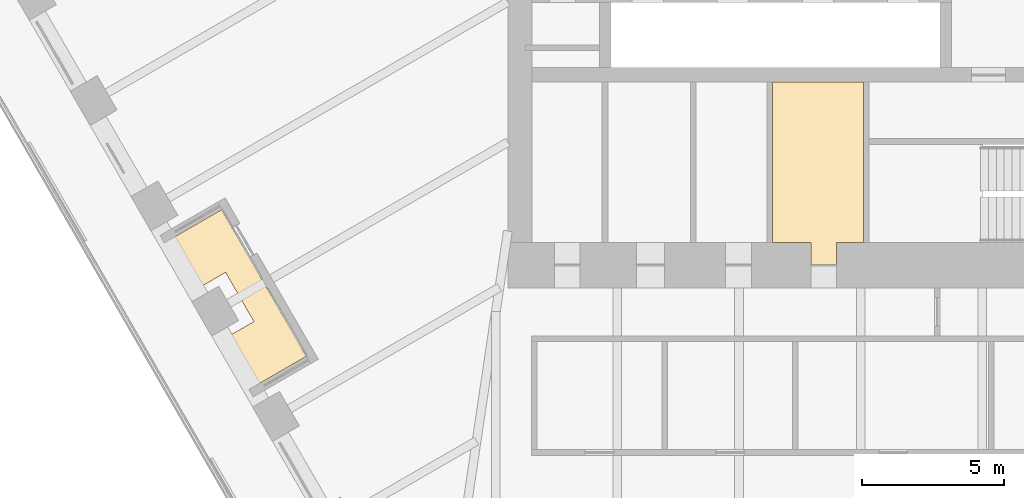
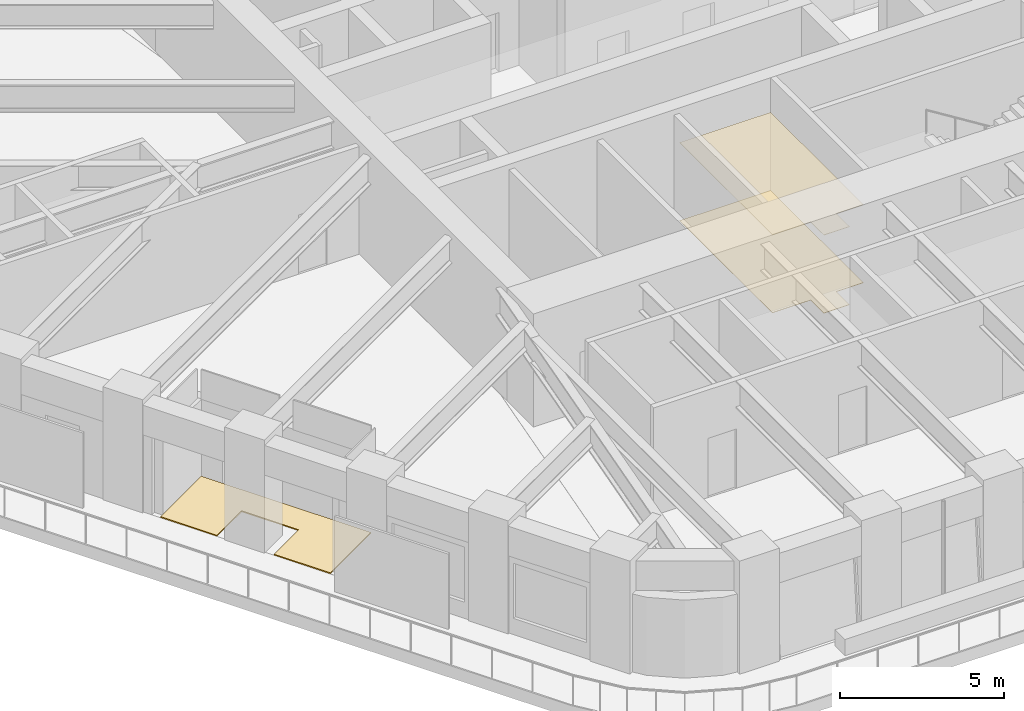
# One storey, part 17 of 19: 3 coverings.
"""IFC4 building model written with IfcOpenShell, lengths in metres."""

from ifc_helpers import new_model, si_unit, direction, frame, origin, place, context, subcontext, project, spatial, polyline, outline, extrude, material, layer, layer_set, type_object, element, save


model = new_model("IFC4")

# Units and contexts
model_context = context("Model", 3, precision=1e-05, world=origin(), true_north=direction((0.0, 1.0)))
body_context = subcontext(model_context, "Body", "Model", "MODEL_VIEW")
ifc_project = project(units=[si_unit("LENGTHUNIT", "METRE"), si_unit("AREAUNIT", "SQUARE_METRE"), si_unit("VOLUMEUNIT", "CUBIC_METRE"), si_unit("PLANEANGLEUNIT", "RADIAN"), si_unit("MASSUNIT", "GRAM", prefix="KILO")], contexts=[model_context])

# Site, building, storey
site_placement = place(None, origin())
site = spatial("IfcSite", under=ifc_project, at=site_placement, CompositionType="ELEMENT")
building_placement = place(site_placement, origin())
building = spatial("IfcBuilding", under=site, at=building_placement, Name="Tarfa Lantern Tower", CompositionType="ELEMENT")
storey_placement = place(building_placement, frame((0.0, 0.0, 328.300048828125)))
storey = spatial("IfcBuildingStorey", under=building, at=storey_placement, Name="L74", CompositionType="ELEMENT", Elevation=328.300048828125)

# Coverings
ifc_material_1 = material(Name="Moisture-resistant plasterboard", Category="finish")
ifc_layer_1 = layer(ifc_material_1, 0.014892578125)
ifc_layer_set_1 = layer_set([ifc_layer_1], Name="CL2 MOISTURE-RESISTANT PLASTERBOARD CEILING 15")
covering_type_1 = type_object("IfcCoveringType", Name="CL2 MOISTURE-RESISTANT PLASTERBOARD CEILING 15", PredefinedType="CEILING", material=ifc_layer_set_1)
covering_1_placement = place(storey_placement, frame((0.0, 0.0, 2.89990234375)))
element("IfcCovering", 1, at=covering_1_placement, inside=storey, type_object=covering_type_1, Name="Ceiling L74-13", PredefinedType="CEILING", context=body_context, shape_type="SweptSolid", body=[
    extrude(outline(polyline([(-0.85009765625, -10.699951171875), (0.10009765625, -10.699951171875), (0.10009765625, -5.050048828125), (-3.10009765625, -5.050048828125), (-3.10009765625, -10.699951171875), (-1.75, -10.699951171875), (-1.75, -11.5), (-0.85009765625, -11.5), (-0.85009765625, -10.699951171875)])), origin(), (0.0, 0.0, 1.0), 0.01513671875),
])
ifc_material_2 = material(Name="Porcelain floor tile", Category="finish")
ifc_layer_2 = layer(ifc_material_2, 0.011962890625)
ifc_layer_set_2 = layer_set([ifc_layer_2], Name="FL3 CERAMIC TILE 12")
covering_type_2 = type_object("IfcCoveringType", Name="FL3 CERAMIC TILE 12", PredefinedType="FLOORING", material=ifc_layer_set_2)
covering_2_placement = place(storey_placement, origin())
element("IfcCovering", 2, at=covering_2_placement, inside=storey, type_object=covering_type_2, Name="Floor finish L74-13", PredefinedType="FLOORING", context=body_context, shape_type="SweptSolid", body=[
    extrude(outline(polyline([(-0.85009765625, -10.699951171875), (0.10009765625, -10.699951171875), (0.10009765625, -5.050048828125), (-3.10009765625, -5.050048828125), (-3.10009765625, -10.699951171875), (-1.75, -10.699951171875), (-1.75, -11.5), (-0.85009765625, -11.5), (-0.85009765625, -10.699951171875)])), origin(), (0.0, 0.0, 1.0), 0.011962890625),
])
ifc_material_3 = material(Name="Porcelain pavers on pedestals", Category="ceramic")
ifc_layer_3 = layer(ifc_material_3, 0.0400390625)
ifc_layer_set_3 = layer_set([ifc_layer_3], Name="LP1 LOGGIA PAVING 40")
covering_type_3 = type_object("IfcCoveringType", Name="LP1 LOGGIA PAVING 40", PredefinedType="FLOORING", material=ifc_layer_set_3)
covering_3_placement = place(storey_placement, origin())
element("IfcCovering", 3, at=covering_3_placement, inside=storey, type_object=covering_type_3, Name="Terrace paving SW", PredefinedType="FLOORING", context=body_context, shape_type="SweptSolid", body=[
    extrude(outline(polyline([(-24.6572265625, -10.79248046875), (-22.509521484375, -9.552490234375), (-19.52734375, -14.717529296875), (-21.67529296875, -15.95751953125), (-22.666259765625, -14.240966796875), (-21.3671875, -13.490966796875), (-22.3671875, -11.759033203125), (-23.666259765625, -12.509033203125), (-24.6572265625, -10.79248046875)])), origin(), (0.0, 0.0, 1.0), 0.0400390625),
])

save(model, "model.ifc")
